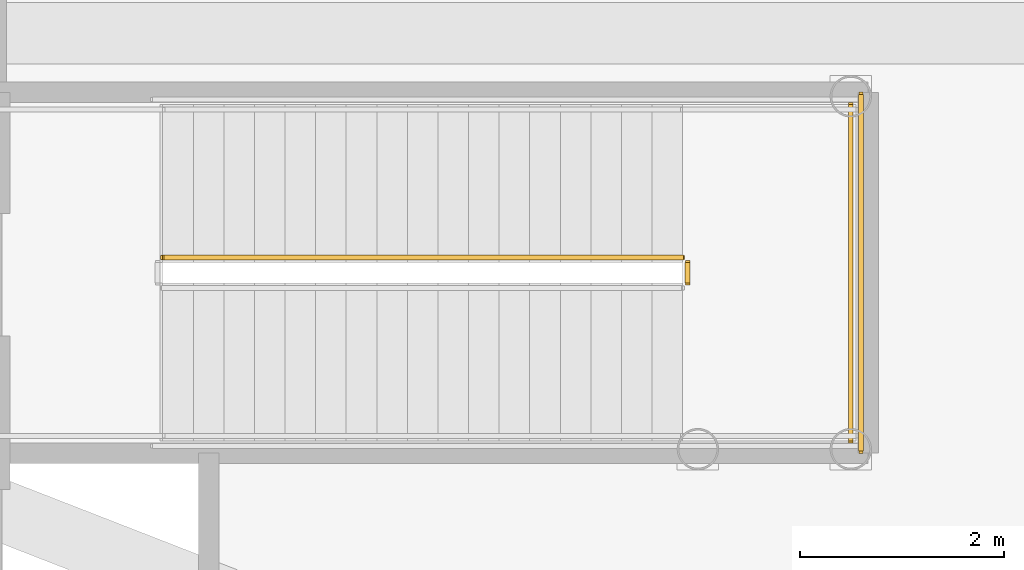
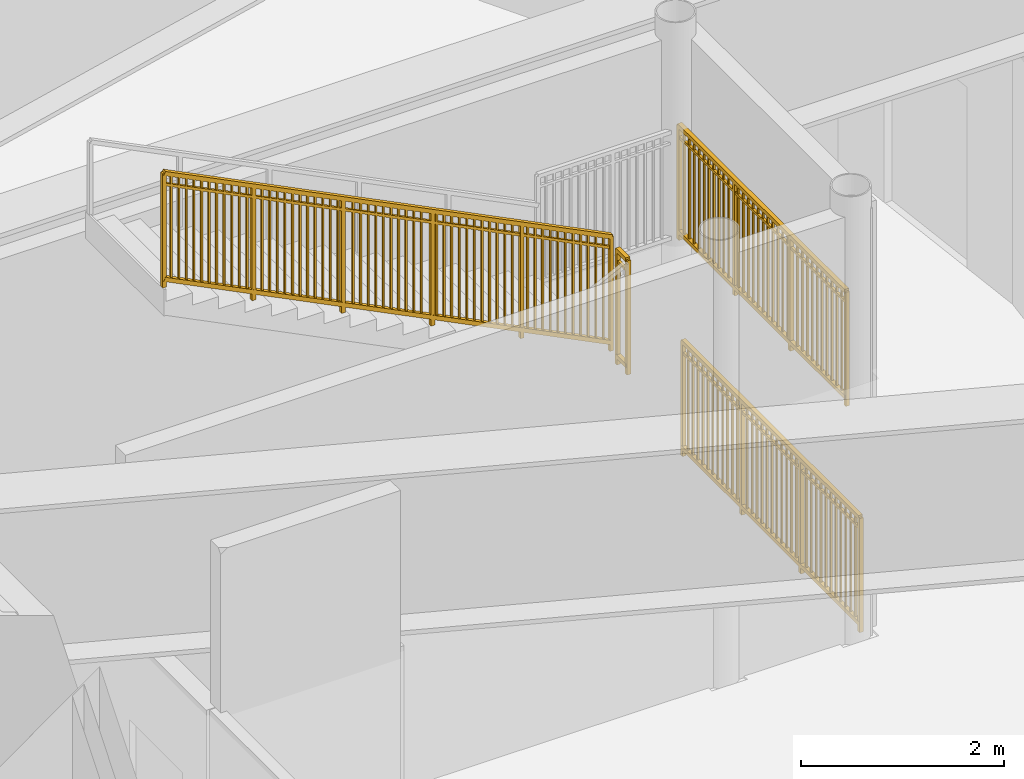
# One storey, part 38 of 39: 4 railings.
"""IFC4 building model written with IfcOpenShell, lengths in metres."""

from ifc_helpers import new_model, si_unit, direction, frame, origin, origin_2d, place, context, subcontext, project, spatial, rectangle, extrude, source, transform, mapped, material, type_object, element, save


model = new_model("IFC4")

# Units and contexts
model_context = context("Model", 3, precision=1e-05, world=origin(), true_north=direction((0.0, 1.0)))
body_context = subcontext(model_context, "Body", "Model", "MODEL_VIEW")
ifc_project = project(units=[si_unit("LENGTHUNIT", "METRE"), si_unit("AREAUNIT", "SQUARE_METRE"), si_unit("VOLUMEUNIT", "CUBIC_METRE"), si_unit("PLANEANGLEUNIT", "RADIAN"), si_unit("MASSUNIT", "GRAM", prefix="KILO")], contexts=[model_context])

# Site, building, storey
site_placement = place(None, origin())
site = spatial("IfcSite", under=ifc_project, at=site_placement, CompositionType="ELEMENT")
building_placement = place(site_placement, origin())
building = spatial("IfcBuilding", under=site, at=building_placement, Name="Linh Dai School and Residence Tower", CompositionType="ELEMENT")
storey_placement = place(building_placement, frame((0.0, 0.0, 27.0)))
storey = spatial("IfcBuildingStorey", under=building, at=storey_placement, Name="L06", CompositionType="ELEMENT", Elevation=27.0)

# Railings
ifc_material = material(Name="Structural Steel S355JR", Category="steel")
railing_type = type_object("IfcRailingType", Name="RL-ST-GUARD-1400", PredefinedType="GUARDRAIL", material=ifc_material)
shared_shape_1 = source(origin(), body_context, "Body", "SweptSolid", [
    extrude(rectangle(XDim=0.048095703125, YDim=0.048095703125, at=origin_2d()), frame((0.0, 0.0, 1.3759765625), z_axis=(0.0, 1.0, 0.0), x_axis=(-1.0, 0.0, 0.0)), (0.0, 0.0, 1.0), 0.199951171875),
    extrude(rectangle(XDim=0.048095703125, YDim=0.048095703125, at=origin_2d()), frame((0.0, 0.0, 0.10009765625), z_axis=(0.0, 1.0, 0.0), x_axis=(-1.0, 0.0, 0.0)), (0.0, 0.0, 1.0), 0.199951171875),
    extrude(rectangle(XDim=0.030029296875, YDim=0.030029296875, at=origin_2d()), frame((0.0, 0.0, 1.239990234375), z_axis=(0.0, 1.0, 0.0), x_axis=(-1.0, 0.0, 0.0)), (0.0, 0.0, 1.0), 0.199951171875),
    extrude(rectangle(XDim=0.0419921875, YDim=0.0419921875, at=origin_2d()), origin(), (0.0, 0.0, 1.0), 1.3759765625),
    extrude(rectangle(XDim=0.0419921875, YDim=0.0419921875, at=origin_2d()), frame((0.0, 0.199951171875, 0.0)), (0.0, 0.0, 1.0), 1.3759765625),
])
railing_1_placement = place(storey_placement, frame((54.75, 24.550048828125, 2.699951171875)))
element("IfcRailing", 1, at=railing_1_placement, inside=storey, type_object=railing_type, Name="L06 STS2 stair guard 2", PredefinedType="GUARDRAIL", context=body_context, shape_type="MappedRepresentation", body=[
    mapped(shared_shape_1, transform((0.0, 0.0, 0.0), x_axis=(1.0, 0.0, 0.0), y_axis=(0.0, 1.0, 0.0), z_axis=(0.0, 0.0, 1.0), scale=1.0)),
])
shared_shape_2 = source(origin(), body_context, "Body", "SweptSolid", [
    extrude(rectangle(XDim=0.048095703125, YDim=0.048095703125, at=origin_2d()), frame((0.0, 0.0, 1.3759765625), z_axis=(0.0, 1.0, 0.0), x_axis=(-1.0, 0.0, 0.0)), (0.0, 0.0, 1.0), 3.300048828125),
    extrude(rectangle(XDim=0.048095703125, YDim=0.048095703125, at=origin_2d()), frame((0.0, 0.0, 0.10009765625), z_axis=(0.0, 1.0, 0.0), x_axis=(-1.0, 0.0, 0.0)), (0.0, 0.0, 1.0), 3.300048828125),
    extrude(rectangle(XDim=0.030029296875, YDim=0.030029296875, at=origin_2d()), frame((0.0, 0.0, 1.239990234375), z_axis=(0.0, 1.0, 0.0), x_axis=(-1.0, 0.0, 0.0)), (0.0, 0.0, 1.0), 3.300048828125),
    extrude(rectangle(XDim=0.02001953125, YDim=0.02001953125, at=origin_2d()), frame((0.0, 0.09716796875, 0.10009765625)), (0.0, 0.0, 1.0), 1.251708984375),
    extrude(rectangle(XDim=0.02001953125, YDim=0.02001953125, at=origin_2d()), frame((0.0, 0.194091796875, 0.10009765625)), (0.0, 0.0, 1.0), 1.251708984375),
    extrude(rectangle(XDim=0.02001953125, YDim=0.02001953125, at=origin_2d()), frame((0.0, 0.291259765625, 0.10009765625)), (0.0, 0.0, 1.0), 1.251708984375),
    extrude(rectangle(XDim=0.02001953125, YDim=0.02001953125, at=origin_2d()), frame((0.0, 0.38818359375, 0.10009765625)), (0.0, 0.0, 1.0), 1.251708984375),
    extrude(rectangle(XDim=0.02001953125, YDim=0.02001953125, at=origin_2d()), frame((0.0, 0.4853515625, 0.10009765625)), (0.0, 0.0, 1.0), 1.251708984375),
    extrude(rectangle(XDim=0.02001953125, YDim=0.02001953125, at=origin_2d()), frame((0.0, 0.582275390625, 0.10009765625)), (0.0, 0.0, 1.0), 1.251708984375),
    extrude(rectangle(XDim=0.02001953125, YDim=0.02001953125, at=origin_2d()), frame((0.0, 0.679443359375, 0.10009765625)), (0.0, 0.0, 1.0), 1.251708984375),
    extrude(rectangle(XDim=0.02001953125, YDim=0.02001953125, at=origin_2d()), frame((0.0, 0.7763671875, 0.10009765625)), (0.0, 0.0, 1.0), 1.251708984375),
    extrude(rectangle(XDim=0.02001953125, YDim=0.02001953125, at=origin_2d()), frame((0.0, 0.87353515625, 0.10009765625)), (0.0, 0.0, 1.0), 1.251708984375),
    extrude(rectangle(XDim=0.02001953125, YDim=0.02001953125, at=origin_2d()), frame((0.0, 0.970703125, 0.10009765625)), (0.0, 0.0, 1.0), 1.251708984375),
    extrude(rectangle(XDim=0.02001953125, YDim=0.02001953125, at=origin_2d()), frame((0.0, 1.164794921875, 0.10009765625)), (0.0, 0.0, 1.0), 1.251708984375),
    extrude(rectangle(XDim=0.02001953125, YDim=0.02001953125, at=origin_2d()), frame((0.0, 1.26171875, 0.10009765625)), (0.0, 0.0, 1.0), 1.251708984375),
    extrude(rectangle(XDim=0.02001953125, YDim=0.02001953125, at=origin_2d()), frame((0.0, 1.35888671875, 0.10009765625)), (0.0, 0.0, 1.0), 1.251708984375),
    extrude(rectangle(XDim=0.02001953125, YDim=0.02001953125, at=origin_2d()), frame((0.0, 1.455810546875, 0.10009765625)), (0.0, 0.0, 1.0), 1.251708984375),
    extrude(rectangle(XDim=0.02001953125, YDim=0.02001953125, at=origin_2d()), frame((0.0, 1.552978515625, 0.10009765625)), (0.0, 0.0, 1.0), 1.251708984375),
    extrude(rectangle(XDim=0.02001953125, YDim=0.02001953125, at=origin_2d()), frame((0.0, 1.64990234375, 0.10009765625)), (0.0, 0.0, 1.0), 1.251708984375),
    extrude(rectangle(XDim=0.02001953125, YDim=0.02001953125, at=origin_2d()), frame((0.0, 1.7470703125, 0.10009765625)), (0.0, 0.0, 1.0), 1.251708984375),
    extrude(rectangle(XDim=0.02001953125, YDim=0.02001953125, at=origin_2d()), frame((0.0, 1.84423828125, 0.10009765625)), (0.0, 0.0, 1.0), 1.251708984375),
    extrude(rectangle(XDim=0.02001953125, YDim=0.02001953125, at=origin_2d()), frame((0.0, 1.941162109375, 0.10009765625)), (0.0, 0.0, 1.0), 1.251708984375),
    extrude(rectangle(XDim=0.02001953125, YDim=0.02001953125, at=origin_2d()), frame((0.0, 2.038330078125, 0.10009765625)), (0.0, 0.0, 1.0), 1.251708984375),
    extrude(rectangle(XDim=0.02001953125, YDim=0.02001953125, at=origin_2d()), frame((0.0, 2.13525390625, 0.10009765625)), (0.0, 0.0, 1.0), 1.251708984375),
    extrude(rectangle(XDim=0.02001953125, YDim=0.02001953125, at=origin_2d()), frame((0.0, 2.329345703125, 0.10009765625)), (0.0, 0.0, 1.0), 1.251708984375),
    extrude(rectangle(XDim=0.02001953125, YDim=0.02001953125, at=origin_2d()), frame((0.0, 2.426513671875, 0.10009765625)), (0.0, 0.0, 1.0), 1.251708984375),
    extrude(rectangle(XDim=0.02001953125, YDim=0.02001953125, at=origin_2d()), frame((0.0, 2.523681640625, 0.10009765625)), (0.0, 0.0, 1.0), 1.251708984375),
    extrude(rectangle(XDim=0.02001953125, YDim=0.02001953125, at=origin_2d()), frame((0.0, 2.62060546875, 0.10009765625)), (0.0, 0.0, 1.0), 1.251708984375),
    extrude(rectangle(XDim=0.02001953125, YDim=0.02001953125, at=origin_2d()), frame((0.0, 2.7177734375, 0.10009765625)), (0.0, 0.0, 1.0), 1.251708984375),
    extrude(rectangle(XDim=0.02001953125, YDim=0.02001953125, at=origin_2d()), frame((0.0, 2.814697265625, 0.10009765625)), (0.0, 0.0, 1.0), 1.251708984375),
    extrude(rectangle(XDim=0.02001953125, YDim=0.02001953125, at=origin_2d()), frame((0.0, 2.911865234375, 0.10009765625)), (0.0, 0.0, 1.0), 1.251708984375),
    extrude(rectangle(XDim=0.02001953125, YDim=0.02001953125, at=origin_2d()), frame((0.0, 3.0087890625, 0.10009765625)), (0.0, 0.0, 1.0), 1.251708984375),
    extrude(rectangle(XDim=0.02001953125, YDim=0.02001953125, at=origin_2d()), frame((0.0, 3.10595703125, 0.10009765625)), (0.0, 0.0, 1.0), 1.251708984375),
    extrude(rectangle(XDim=0.02001953125, YDim=0.02001953125, at=origin_2d()), frame((0.0, 3.202880859375, 0.10009765625)), (0.0, 0.0, 1.0), 1.251708984375),
    extrude(rectangle(XDim=0.0419921875, YDim=0.0419921875, at=origin_2d()), origin(), (0.0, 0.0, 1.0), 1.3759765625),
    extrude(rectangle(XDim=0.0419921875, YDim=0.0419921875, at=origin_2d()), frame((0.0, 1.10009765625, 0.0)), (0.0, 0.0, 1.0), 1.3759765625),
    extrude(rectangle(XDim=0.0419921875, YDim=0.0419921875, at=origin_2d()), frame((0.0, 2.199951171875, 0.0)), (0.0, 0.0, 1.0), 1.3759765625),
    extrude(rectangle(XDim=0.0419921875, YDim=0.0419921875, at=origin_2d()), frame((0.0, 3.300048828125, 0.0)), (0.0, 0.0, 1.0), 1.3759765625),
])
railing_2_placement = place(storey_placement, frame((56.35009765625, 23.0, 2.699951171875)))
element("IfcRailing", 2, at=railing_2_placement, inside=storey, type_object=railing_type, Name="L06 STS2 stair guard 5", PredefinedType="GUARDRAIL", context=body_context, shape_type="MappedRepresentation", body=[
    mapped(shared_shape_2, transform((0.0, 0.0, 0.0), x_axis=(1.0, 0.0, 0.0), y_axis=(0.0, 1.0, 0.0), z_axis=(0.0, 0.0, 1.0), scale=1.0)),
])
shared_shape_3 = source(origin(), body_context, "Body", "SweptSolid", [
    extrude(rectangle(XDim=0.048095703125, YDim=0.048095703125, at=origin_2d()), frame((0.0, 0.0, 1.3759765625), z_axis=(0.0, 1.0, 0.0), x_axis=(-1.0, 0.0, 0.0)), (0.0, 0.0, 1.0), 3.5),
    extrude(rectangle(XDim=0.048095703125, YDim=0.048095703125, at=origin_2d()), frame((0.0, 0.0, 0.10009765625), z_axis=(0.0, 1.0, 0.0), x_axis=(-1.0, 0.0, 0.0)), (0.0, 0.0, 1.0), 3.5),
    extrude(rectangle(XDim=0.030029296875, YDim=0.030029296875, at=origin_2d()), frame((0.0, 0.0, 1.239990234375), z_axis=(0.0, 1.0, 0.0), x_axis=(-1.0, 0.0, 0.0)), (0.0, 0.0, 1.0), 3.5),
    extrude(rectangle(XDim=0.02001953125, YDim=0.02001953125, at=origin_2d()), frame((0.0, 0.09716796875, 0.10009765625)), (0.0, 0.0, 1.0), 1.251708984375),
    extrude(rectangle(XDim=0.02001953125, YDim=0.02001953125, at=origin_2d()), frame((0.0, 0.1943359375, 0.10009765625)), (0.0, 0.0, 1.0), 1.251708984375),
    extrude(rectangle(XDim=0.02001953125, YDim=0.02001953125, at=origin_2d()), frame((0.0, 0.291748046875, 0.10009765625)), (0.0, 0.0, 1.0), 1.251708984375),
    extrude(rectangle(XDim=0.02001953125, YDim=0.02001953125, at=origin_2d()), frame((0.0, 0.388916015625, 0.10009765625)), (0.0, 0.0, 1.0), 1.251708984375),
    extrude(rectangle(XDim=0.02001953125, YDim=0.02001953125, at=origin_2d()), frame((0.0, 0.486083984375, 0.10009765625)), (0.0, 0.0, 1.0), 1.251708984375),
    extrude(rectangle(XDim=0.02001953125, YDim=0.02001953125, at=origin_2d()), frame((0.0, 0.583251953125, 0.10009765625)), (0.0, 0.0, 1.0), 1.251708984375),
    extrude(rectangle(XDim=0.02001953125, YDim=0.02001953125, at=origin_2d()), frame((0.0, 0.6806640625, 0.10009765625)), (0.0, 0.0, 1.0), 1.251708984375),
    extrude(rectangle(XDim=0.02001953125, YDim=0.02001953125, at=origin_2d()), frame((0.0, 0.77783203125, 0.10009765625)), (0.0, 0.0, 1.0), 1.251708984375),
    extrude(rectangle(XDim=0.02001953125, YDim=0.02001953125, at=origin_2d()), frame((0.0, 0.875, 0.10009765625)), (0.0, 0.0, 1.0), 1.251708984375),
    extrude(rectangle(XDim=0.02001953125, YDim=0.02001953125, at=origin_2d()), frame((0.0, 0.97216796875, 0.10009765625)), (0.0, 0.0, 1.0), 1.251708984375),
    extrude(rectangle(XDim=0.02001953125, YDim=0.02001953125, at=origin_2d()), frame((0.0, 1.0693359375, 0.10009765625)), (0.0, 0.0, 1.0), 1.251708984375),
    extrude(rectangle(XDim=0.02001953125, YDim=0.02001953125, at=origin_2d()), frame((0.0, 1.263916015625, 0.10009765625)), (0.0, 0.0, 1.0), 1.251708984375),
    extrude(rectangle(XDim=0.02001953125, YDim=0.02001953125, at=origin_2d()), frame((0.0, 1.361083984375, 0.10009765625)), (0.0, 0.0, 1.0), 1.251708984375),
    extrude(rectangle(XDim=0.02001953125, YDim=0.02001953125, at=origin_2d()), frame((0.0, 1.458251953125, 0.10009765625)), (0.0, 0.0, 1.0), 1.251708984375),
    extrude(rectangle(XDim=0.02001953125, YDim=0.02001953125, at=origin_2d()), frame((0.0, 1.5556640625, 0.10009765625)), (0.0, 0.0, 1.0), 1.251708984375),
    extrude(rectangle(XDim=0.02001953125, YDim=0.02001953125, at=origin_2d()), frame((0.0, 1.65283203125, 0.10009765625)), (0.0, 0.0, 1.0), 1.251708984375),
    extrude(rectangle(XDim=0.02001953125, YDim=0.02001953125, at=origin_2d()), frame((0.0, 1.75, 0.10009765625)), (0.0, 0.0, 1.0), 1.251708984375),
    extrude(rectangle(XDim=0.02001953125, YDim=0.02001953125, at=origin_2d()), frame((0.0, 1.84716796875, 0.10009765625)), (0.0, 0.0, 1.0), 1.251708984375),
    extrude(rectangle(XDim=0.02001953125, YDim=0.02001953125, at=origin_2d()), frame((0.0, 1.9443359375, 0.10009765625)), (0.0, 0.0, 1.0), 1.251708984375),
    extrude(rectangle(XDim=0.02001953125, YDim=0.02001953125, at=origin_2d()), frame((0.0, 2.041748046875, 0.10009765625)), (0.0, 0.0, 1.0), 1.251708984375),
    extrude(rectangle(XDim=0.02001953125, YDim=0.02001953125, at=origin_2d()), frame((0.0, 2.138916015625, 0.10009765625)), (0.0, 0.0, 1.0), 1.251708984375),
    extrude(rectangle(XDim=0.02001953125, YDim=0.02001953125, at=origin_2d()), frame((0.0, 2.236083984375, 0.10009765625)), (0.0, 0.0, 1.0), 1.251708984375),
    extrude(rectangle(XDim=0.02001953125, YDim=0.02001953125, at=origin_2d()), frame((0.0, 2.4306640625, 0.10009765625)), (0.0, 0.0, 1.0), 1.251708984375),
    extrude(rectangle(XDim=0.02001953125, YDim=0.02001953125, at=origin_2d()), frame((0.0, 2.52783203125, 0.10009765625)), (0.0, 0.0, 1.0), 1.251708984375),
    extrude(rectangle(XDim=0.02001953125, YDim=0.02001953125, at=origin_2d()), frame((0.0, 2.625, 0.10009765625)), (0.0, 0.0, 1.0), 1.251708984375),
    extrude(rectangle(XDim=0.02001953125, YDim=0.02001953125, at=origin_2d()), frame((0.0, 2.72216796875, 0.10009765625)), (0.0, 0.0, 1.0), 1.251708984375),
    extrude(rectangle(XDim=0.02001953125, YDim=0.02001953125, at=origin_2d()), frame((0.0, 2.8193359375, 0.10009765625)), (0.0, 0.0, 1.0), 1.251708984375),
    extrude(rectangle(XDim=0.02001953125, YDim=0.02001953125, at=origin_2d()), frame((0.0, 2.916748046875, 0.10009765625)), (0.0, 0.0, 1.0), 1.251708984375),
    extrude(rectangle(XDim=0.02001953125, YDim=0.02001953125, at=origin_2d()), frame((0.0, 3.013916015625, 0.10009765625)), (0.0, 0.0, 1.0), 1.251708984375),
    extrude(rectangle(XDim=0.02001953125, YDim=0.02001953125, at=origin_2d()), frame((0.0, 3.111083984375, 0.10009765625)), (0.0, 0.0, 1.0), 1.251708984375),
    extrude(rectangle(XDim=0.02001953125, YDim=0.02001953125, at=origin_2d()), frame((0.0, 3.208251953125, 0.10009765625)), (0.0, 0.0, 1.0), 1.251708984375),
    extrude(rectangle(XDim=0.02001953125, YDim=0.02001953125, at=origin_2d()), frame((0.0, 3.3056640625, 0.10009765625)), (0.0, 0.0, 1.0), 1.251708984375),
    extrude(rectangle(XDim=0.02001953125, YDim=0.02001953125, at=origin_2d()), frame((0.0, 3.40283203125, 0.10009765625)), (0.0, 0.0, 1.0), 1.251708984375),
    extrude(rectangle(XDim=0.0419921875, YDim=0.0419921875, at=origin_2d()), origin(), (0.0, 0.0, 1.0), 1.3759765625),
    extrude(rectangle(XDim=0.0419921875, YDim=0.0419921875, at=origin_2d()), frame((0.0, 1.166748046875, 0.0)), (0.0, 0.0, 1.0), 1.3759765625),
    extrude(rectangle(XDim=0.0419921875, YDim=0.0419921875, at=origin_2d()), frame((0.0, 2.333251953125, 0.0)), (0.0, 0.0, 1.0), 1.3759765625),
    extrude(rectangle(XDim=0.0419921875, YDim=0.0419921875, at=origin_2d()), frame((0.0, 3.5, 0.0)), (0.0, 0.0, 1.0), 1.3759765625),
])
railing_3_placement = place(storey_placement, frame((56.449951171875, 22.89990234375, 0.0)))
element("IfcRailing", 3, at=railing_3_placement, inside=storey, type_object=railing_type, Name="L06 STS2 stair guard 12", PredefinedType="GUARDRAIL", context=body_context, shape_type="MappedRepresentation", body=[
    mapped(shared_shape_3, transform((0.0, 0.0, 0.0), x_axis=(1.0, 0.0, 0.0), y_axis=(0.0, 1.0, 0.0), z_axis=(0.0, 0.0, 1.0), scale=1.0)),
])
shared_shape_4 = source(origin(), body_context, "Body", "SweptSolid", [
    extrude(rectangle(XDim=0.048095703125, YDim=0.048095703125, at=origin_2d()), frame((0.0, 0.0, 1.3759765625), z_axis=(-0.894435754537, 0.0, 0.447196468016), x_axis=(0.0, -1.0, 0.0)), (0.0, 0.0, 1.0), 5.70166015625),
    extrude(rectangle(XDim=0.048095703125, YDim=0.048095703125, at=origin_2d()), frame((0.0, 0.0, 0.10009765625), z_axis=(-0.894435754537, 0.0, 0.447196468016), x_axis=(0.0, -1.0, 0.0)), (0.0, 0.0, 1.0), 5.70166015625),
    extrude(rectangle(XDim=0.030029296875, YDim=0.030029296875, at=origin_2d()), frame((0.0, 0.0, 1.239990234375), z_axis=(-0.894435754537, 0.0, 0.447196468016), x_axis=(0.0, -1.0, 0.0)), (0.0, 0.0, 1.0), 5.70166015625),
    extrude(rectangle(XDim=0.02001953125, YDim=0.02001953125, at=origin_2d()), frame((-0.08642578125, 0.0, 0.143310546875)), (0.0, 0.0, 1.0), 1.251708984375),
    extrude(rectangle(XDim=0.02001953125, YDim=0.02001953125, at=origin_2d()), frame((-0.1728515625, 0.0, 0.1865234375)), (0.0, 0.0, 1.0), 1.251708984375),
    extrude(rectangle(XDim=0.02001953125, YDim=0.02001953125, at=origin_2d()), frame((-0.25927734375, 0.0, 0.229736328125)), (0.0, 0.0, 1.0), 1.251708984375),
    extrude(rectangle(XDim=0.02001953125, YDim=0.02001953125, at=origin_2d()), frame((-0.345703125, 0.0, 0.27294921875)), (0.0, 0.0, 1.0), 1.251708984375),
    extrude(rectangle(XDim=0.02001953125, YDim=0.02001953125, at=origin_2d()), frame((-0.43212890625, 0.0, 0.316162109375)), (0.0, 0.0, 1.0), 1.251708984375),
    extrude(rectangle(XDim=0.02001953125, YDim=0.02001953125, at=origin_2d()), frame((-0.5185546875, 0.0, 0.359375)), (0.0, 0.0, 1.0), 1.251708984375),
    extrude(rectangle(XDim=0.02001953125, YDim=0.02001953125, at=origin_2d()), frame((-0.60498046875, 0.0, 0.402587890625)), (0.0, 0.0, 1.0), 1.251708984375),
    extrude(rectangle(XDim=0.02001953125, YDim=0.02001953125, at=origin_2d()), frame((-0.69140625, 0.0, 0.44580078125)), (0.0, 0.0, 1.0), 1.251708984375),
    extrude(rectangle(XDim=0.02001953125, YDim=0.02001953125, at=origin_2d()), frame((-0.77783203125, 0.0, 0.489013671875)), (0.0, 0.0, 1.0), 1.251708984375),
    extrude(rectangle(XDim=0.02001953125, YDim=0.02001953125, at=origin_2d()), frame((-0.864501953125, 0.0, 0.5322265625)), (0.0, 0.0, 1.0), 1.251708984375),
    extrude(rectangle(XDim=0.02001953125, YDim=0.02001953125, at=origin_2d()), frame((-0.950927734375, 0.0, 0.575439453125)), (0.0, 0.0, 1.0), 1.251708984375),
    extrude(rectangle(XDim=0.02001953125, YDim=0.02001953125, at=origin_2d()), frame((-1.123779296875, 0.0, 0.661865234375)), (0.0, 0.0, 1.0), 1.251708984375),
    extrude(rectangle(XDim=0.02001953125, YDim=0.02001953125, at=origin_2d()), frame((-1.210205078125, 0.0, 0.705078125)), (0.0, 0.0, 1.0), 1.251708984375),
    extrude(rectangle(XDim=0.02001953125, YDim=0.02001953125, at=origin_2d()), frame((-1.296630859375, 0.0, 0.748291015625)), (0.0, 0.0, 1.0), 1.251708984375),
    extrude(rectangle(XDim=0.02001953125, YDim=0.02001953125, at=origin_2d()), frame((-1.383056640625, 0.0, 0.79150390625)), (0.0, 0.0, 1.0), 1.251708984375),
    extrude(rectangle(XDim=0.02001953125, YDim=0.02001953125, at=origin_2d()), frame((-1.469482421875, 0.0, 0.834716796875)), (0.0, 0.0, 1.0), 1.251708984375),
    extrude(rectangle(XDim=0.02001953125, YDim=0.02001953125, at=origin_2d()), frame((-1.555908203125, 0.0, 0.8779296875)), (0.0, 0.0, 1.0), 1.251708984375),
    extrude(rectangle(XDim=0.02001953125, YDim=0.02001953125, at=origin_2d()), frame((-1.642333984375, 0.0, 0.921142578125)), (0.0, 0.0, 1.0), 1.251708984375),
    extrude(rectangle(XDim=0.02001953125, YDim=0.02001953125, at=origin_2d()), frame((-1.728759765625, 0.0, 0.96435546875)), (0.0, 0.0, 1.0), 1.251708984375),
    extrude(rectangle(XDim=0.02001953125, YDim=0.02001953125, at=origin_2d()), frame((-1.815185546875, 0.0, 1.007568359375)), (0.0, 0.0, 1.0), 1.251708984375),
    extrude(rectangle(XDim=0.02001953125, YDim=0.02001953125, at=origin_2d()), frame((-1.901611328125, 0.0, 1.05078125)), (0.0, 0.0, 1.0), 1.251708984375),
    extrude(rectangle(XDim=0.02001953125, YDim=0.02001953125, at=origin_2d()), frame((-1.988037109375, 0.0, 1.093994140625)), (0.0, 0.0, 1.0), 1.251708984375),
    extrude(rectangle(XDim=0.02001953125, YDim=0.02001953125, at=origin_2d()), frame((-2.160888671875, 0.0, 1.180419921875)), (0.0, 0.0, 1.0), 1.251708984375),
    extrude(rectangle(XDim=0.02001953125, YDim=0.02001953125, at=origin_2d()), frame((-2.247314453125, 0.0, 1.2236328125)), (0.0, 0.0, 1.0), 1.251708984375),
    extrude(rectangle(XDim=0.02001953125, YDim=0.02001953125, at=origin_2d()), frame((-2.333740234375, 0.0, 1.266845703125)), (0.0, 0.0, 1.0), 1.251708984375),
    extrude(rectangle(XDim=0.02001953125, YDim=0.02001953125, at=origin_2d()), frame((-2.420166015625, 0.0, 1.31005859375)), (0.0, 0.0, 1.0), 1.251708984375),
    extrude(rectangle(XDim=0.02001953125, YDim=0.02001953125, at=origin_2d()), frame((-2.506591796875, 0.0, 1.353271484375)), (0.0, 0.0, 1.0), 1.251708984375),
    extrude(rectangle(XDim=0.02001953125, YDim=0.02001953125, at=origin_2d()), frame((-2.59326171875, 0.0, 1.396728515625)), (0.0, 0.0, 1.0), 1.251708984375),
    extrude(rectangle(XDim=0.02001953125, YDim=0.02001953125, at=origin_2d()), frame((-2.6796875, 0.0, 1.43994140625)), (0.0, 0.0, 1.0), 1.251708984375),
    extrude(rectangle(XDim=0.02001953125, YDim=0.02001953125, at=origin_2d()), frame((-2.76611328125, 0.0, 1.483154296875)), (0.0, 0.0, 1.0), 1.251708984375),
    extrude(rectangle(XDim=0.02001953125, YDim=0.02001953125, at=origin_2d()), frame((-2.8525390625, 0.0, 1.5263671875)), (0.0, 0.0, 1.0), 1.251708984375),
    extrude(rectangle(XDim=0.02001953125, YDim=0.02001953125, at=origin_2d()), frame((-2.93896484375, 0.0, 1.569580078125)), (0.0, 0.0, 1.0), 1.251708984375),
    extrude(rectangle(XDim=0.02001953125, YDim=0.02001953125, at=origin_2d()), frame((-3.11181640625, 0.0, 1.656005859375)), (0.0, 0.0, 1.0), 1.251708984375),
    extrude(rectangle(XDim=0.02001953125, YDim=0.02001953125, at=origin_2d()), frame((-3.1982421875, 0.0, 1.69921875)), (0.0, 0.0, 1.0), 1.251708984375),
    extrude(rectangle(XDim=0.02001953125, YDim=0.02001953125, at=origin_2d()), frame((-3.28466796875, 0.0, 1.742431640625)), (0.0, 0.0, 1.0), 1.251708984375),
    extrude(rectangle(XDim=0.02001953125, YDim=0.02001953125, at=origin_2d()), frame((-3.37109375, 0.0, 1.78564453125)), (0.0, 0.0, 1.0), 1.251708984375),
    extrude(rectangle(XDim=0.02001953125, YDim=0.02001953125, at=origin_2d()), frame((-3.45751953125, 0.0, 1.828857421875)), (0.0, 0.0, 1.0), 1.251708984375),
    extrude(rectangle(XDim=0.02001953125, YDim=0.02001953125, at=origin_2d()), frame((-3.5439453125, 0.0, 1.8720703125)), (0.0, 0.0, 1.0), 1.251708984375),
    extrude(rectangle(XDim=0.02001953125, YDim=0.02001953125, at=origin_2d()), frame((-3.63037109375, 0.0, 1.915283203125)), (0.0, 0.0, 1.0), 1.251708984375),
    extrude(rectangle(XDim=0.02001953125, YDim=0.02001953125, at=origin_2d()), frame((-3.716796875, 0.0, 1.95849609375)), (0.0, 0.0, 1.0), 1.251708984375),
    extrude(rectangle(XDim=0.02001953125, YDim=0.02001953125, at=origin_2d()), frame((-3.80322265625, 0.0, 2.001708984375)), (0.0, 0.0, 1.0), 1.251708984375),
    extrude(rectangle(XDim=0.02001953125, YDim=0.02001953125, at=origin_2d()), frame((-3.8896484375, 0.0, 2.044921875)), (0.0, 0.0, 1.0), 1.251708984375),
    extrude(rectangle(XDim=0.02001953125, YDim=0.02001953125, at=origin_2d()), frame((-3.97607421875, 0.0, 2.088134765625)), (0.0, 0.0, 1.0), 1.251708984375),
    extrude(rectangle(XDim=0.02001953125, YDim=0.02001953125, at=origin_2d()), frame((-4.14892578125, 0.0, 2.174560546875)), (0.0, 0.0, 1.0), 1.251708984375),
    extrude(rectangle(XDim=0.02001953125, YDim=0.02001953125, at=origin_2d()), frame((-4.2353515625, 0.0, 2.2177734375)), (0.0, 0.0, 1.0), 1.251708984375),
    extrude(rectangle(XDim=0.02001953125, YDim=0.02001953125, at=origin_2d()), frame((-4.322021484375, 0.0, 2.260986328125)), (0.0, 0.0, 1.0), 1.251708984375),
    extrude(rectangle(XDim=0.02001953125, YDim=0.02001953125, at=origin_2d()), frame((-4.408447265625, 0.0, 2.30419921875)), (0.0, 0.0, 1.0), 1.251708984375),
    extrude(rectangle(XDim=0.02001953125, YDim=0.02001953125, at=origin_2d()), frame((-4.494873046875, 0.0, 2.347412109375)), (0.0, 0.0, 1.0), 1.251708984375),
    extrude(rectangle(XDim=0.02001953125, YDim=0.02001953125, at=origin_2d()), frame((-4.581298828125, 0.0, 2.390625)), (0.0, 0.0, 1.0), 1.251708984375),
    extrude(rectangle(XDim=0.02001953125, YDim=0.02001953125, at=origin_2d()), frame((-4.667724609375, 0.0, 2.433837890625)), (0.0, 0.0, 1.0), 1.251708984375),
    extrude(rectangle(XDim=0.02001953125, YDim=0.02001953125, at=origin_2d()), frame((-4.754150390625, 0.0, 2.47705078125)), (0.0, 0.0, 1.0), 1.251708984375),
    extrude(rectangle(XDim=0.02001953125, YDim=0.02001953125, at=origin_2d()), frame((-4.840576171875, 0.0, 2.520263671875)), (0.0, 0.0, 1.0), 1.251708984375),
    extrude(rectangle(XDim=0.02001953125, YDim=0.02001953125, at=origin_2d()), frame((-4.927001953125, 0.0, 2.5634765625)), (0.0, 0.0, 1.0), 1.251708984375),
    extrude(rectangle(XDim=0.02001953125, YDim=0.02001953125, at=origin_2d()), frame((-5.013427734375, 0.0, 2.606689453125)), (0.0, 0.0, 1.0), 1.251708984375),
    extrude(rectangle(XDim=0.0419921875, YDim=0.0419921875, at=origin_2d()), origin(), (0.0, 0.0, 1.0), 1.3759765625),
    extrude(rectangle(XDim=0.0419921875, YDim=0.0419921875, at=origin_2d()), frame((-1.02001953125, 0.0, 0.510009765625)), (0.0, 0.0, 1.0), 1.3759765625),
    extrude(rectangle(XDim=0.0419921875, YDim=0.0419921875, at=origin_2d()), frame((-2.0400390625, 0.0, 1.02001953125)), (0.0, 0.0, 1.0), 1.3759765625),
    extrude(rectangle(XDim=0.0419921875, YDim=0.0419921875, at=origin_2d()), frame((-3.059814453125, 0.0, 1.52978515625)), (0.0, 0.0, 1.0), 1.3759765625),
    extrude(rectangle(XDim=0.0419921875, YDim=0.0419921875, at=origin_2d()), frame((-4.079833984375, 0.0, 2.039794921875)), (0.0, 0.0, 1.0), 1.3759765625),
    extrude(rectangle(XDim=0.0419921875, YDim=0.0419921875, at=origin_2d()), frame((-5.099853515625, 0.0, 2.5498046875)), (0.0, 0.0, 1.0), 1.3759765625),
])
railing_4_placement = place(storey_placement, frame((54.699951171875, 24.800048828125, 2.85009765625)))
element("IfcRailing", 4, at=railing_4_placement, inside=storey, type_object=railing_type, Name="L06 STS2 stair guard 6", PredefinedType="GUARDRAIL", context=body_context, shape_type="MappedRepresentation", body=[
    mapped(shared_shape_4, transform((0.0, 0.0, 0.0), x_axis=(1.0, 0.0, 0.0), y_axis=(0.0, 1.0, 0.0), z_axis=(0.0, 0.0, 1.0), scale=1.0)),
])

save(model, "model.ifc")
